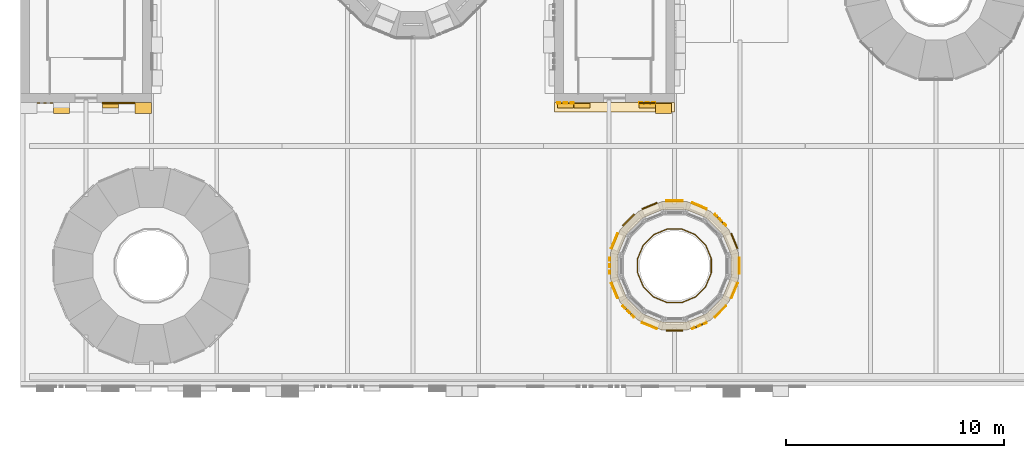
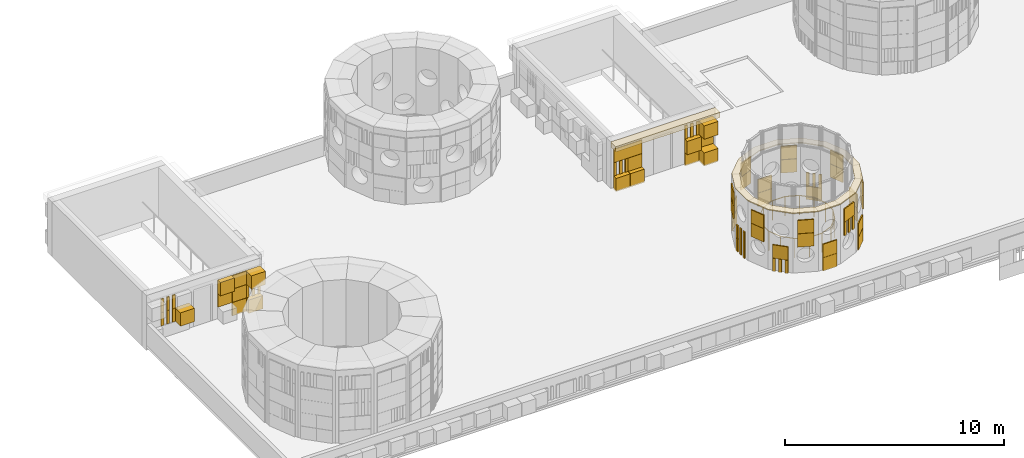
# One storey, part 68 of 98: 18 coverings, 1 railing.
"""IFC4 building model written with IfcOpenShell, lengths in metres."""

import ifcopenshell
import ifcopenshell.guid

model = None  # the IFC model being written
_history = None  # IfcOwnerHistory: only IFC2X3 demands one
_inside = {}  # id of a spatial element -> (the spatial element, [elements in it])
_under = {}  # id of a project, library or spatial element -> (it, [spatial elements below it])
_declared = {}  # id of a project -> (the project, [libraries it declares])
_typed = {}  # id of a type object -> (the type object, [elements of that type])
_made_of = {}  # id of a material, layer set ... -> (it, [elements and type objects made of it])


def new_model(schema):
    """Start an empty IFC model of exactly this schema.

    Asked for "IFC4X3", IfcOpenShell would pick the latest addendum, in which some entities
    have other attributes; the version numbers below select the first issue.
    IFC2X3 requires an IfcOwnerHistory on every rooted entity: one is made here for all.
    """
    global model, _history
    if schema == "IFC4X3":
        model = ifcopenshell.file(schema_version=(4, 3, 0, 0))
    else:
        model = ifcopenshell.file(schema=schema)
    _inside.clear()
    _under.clear()
    _declared.clear()
    _typed.clear()
    _made_of.clear()
    _history = None
    if model.schema == "IFC2X3":
        org = make("IfcOrganization", Name="unknown")
        user = make(
            "IfcPersonAndOrganization",
            ThePerson=make("IfcPerson", FamilyName="unknown"),
            TheOrganization=org,
        )
        app = make(
            "IfcApplication",
            ApplicationDeveloper=org,
            Version="unknown",
            ApplicationFullName="unknown",
            ApplicationIdentifier="unknown",
        )
        _history = make(
            "IfcOwnerHistory",
            OwningUser=user,
            OwningApplication=app,
            ChangeAction="ADDED",
            CreationDate=0,
        )
    return model


def make(cls, **values):
    """One entity of the class cls with the attributes given. An attribute that is None is left unset."""
    return model.create_entity(
        cls, **{name: value for name, value in values.items() if value is not None}
    )


def rooted(cls, **values):
    """An entity with a GlobalId (a new one), such as an element, a storey or a relation."""
    return make(cls, GlobalId=ifcopenshell.guid.new(), OwnerHistory=_history, **values)


def si_unit(unit_type, name, prefix=None):
    """IfcSIUnit, for example si_unit("LENGTHUNIT", "METRE", prefix="MILLI")."""
    return make("IfcSIUnit", UnitType=unit_type, Prefix=prefix, Name=name)


def assignment(units):
    """IfcUnitAssignment: the units of a project."""
    return None if units is None else make("IfcUnitAssignment", Units=units)


def point(xyz):
    """IfcCartesianPoint."""
    return None if xyz is None else make("IfcCartesianPoint", Coordinates=xyz)


def direction(xyz):
    """IfcDirection."""
    return None if xyz is None else make("IfcDirection", DirectionRatios=xyz)


def frame(location, z_axis=None, x_axis=None):
    """IfcAxis2Placement3D, a coordinate frame: its origin and axes. An axis left out is left unset."""
    return make(
        "IfcAxis2Placement3D",
        Location=point(location),
        Axis=direction(z_axis),
        RefDirection=direction(x_axis),
    )


def frame_2d(location, x_axis=None):
    """IfcAxis2Placement2D, a coordinate frame in the plane: its origin and x axis."""
    return make(
        "IfcAxis2Placement2D", Location=point(location), RefDirection=direction(x_axis)
    )


def origin():
    """The frame at (0, 0, 0) with its axes left unset."""
    return frame((0.0, 0.0, 0.0))


def origin_2d():
    """The frame at (0, 0) in the plane with its x axis left unset."""
    return frame_2d((0.0, 0.0))


def place(relative_to, where):
    """IfcLocalPlacement: puts the frame where relative to a parent placement (None: the world)."""
    return make(
        "IfcLocalPlacement", PlacementRelTo=relative_to, RelativePlacement=where
    )


def context(
    kind, dimensions, precision=None, world=None, true_north=None, identifier=None
):
    """IfcGeometricRepresentationContext, for example the 3D "Model" context."""
    return make(
        "IfcGeometricRepresentationContext",
        ContextIdentifier=identifier,
        ContextType=kind,
        CoordinateSpaceDimension=dimensions,
        Precision=precision,
        WorldCoordinateSystem=world,
        TrueNorth=true_north,
    )


def subcontext(parent, identifier, kind, view, scale=None):
    """IfcGeometricRepresentationSubContext, for example "Body" below "Model"."""
    return make(
        "IfcGeometricRepresentationSubContext",
        ContextIdentifier=identifier,
        ContextType=kind,
        ParentContext=parent,
        TargetScale=scale,
        TargetView=view,
    )


def project(units=None, contexts=None):
    """IfcProject with its units and contexts."""
    return rooted(
        "IfcProject",
        Name="project",
        RepresentationContexts=contexts,
        UnitsInContext=assignment(units),
    )


def spatial(cls, under=None, at=None, **own):
    """A site, building, storey or space (cls), placed at a placement, below another one or the project."""
    s = rooted(cls, ObjectPlacement=at, **own)
    if under is not None:
        _under.setdefault(under.id(), (under, []))[1].append(s)
    return s


def polyline(points):
    """IfcPolyline through the points."""
    return make("IfcPolyline", Points=[point(p) for p in points])


def profile(cls, at=None, kind="AREA", **sizes):
    """A parametric profile (cls). Its sizes go by their IFC names, for example OverallWidth=200.0."""
    return make(cls, ProfileType=kind, Position=at, **sizes)


def rectangle(**sizes):
    """IfcRectangleProfileDef."""
    return profile("IfcRectangleProfileDef", **sizes)


def circle(**sizes):
    """IfcCircleProfileDef."""
    return profile("IfcCircleProfileDef", **sizes)


def outline(outer, holes=None, kind="AREA"):
    """IfcArbitraryClosedProfileDef: a profile drawn as a closed curve; with holes, ...WithVoids."""
    if holes is None:
        return make("IfcArbitraryClosedProfileDef", ProfileType=kind, OuterCurve=outer)
    return make(
        "IfcArbitraryProfileDefWithVoids",
        ProfileType=kind,
        OuterCurve=outer,
        InnerCurves=holes,
    )


def extrude(swept, where, along, depth):
    """IfcExtrudedAreaSolid: the profile swept, set in the frame where, extruded along a direction by depth."""
    return make(
        "IfcExtrudedAreaSolid",
        SweptArea=swept,
        Position=where,
        ExtrudedDirection=direction(along),
        Depth=depth,
    )


def shape(context_of_items, identifier, shape_type, items):
    """IfcShapeRepresentation: the items that make up one representation, for example the "Body"."""
    return make(
        "IfcShapeRepresentation",
        ContextOfItems=context_of_items,
        RepresentationIdentifier=identifier,
        RepresentationType=shape_type,
        Items=items,
    )


def material(Name=None, Category=None):
    """IfcMaterial."""
    return make("IfcMaterial", Name=Name, Category=Category)


def layer(
    of_material, thickness, ventilated=None, Name=None, Category=None, Priority=None
):
    """IfcMaterialLayer: one layer of a wall or slab, of a material (None: an air gap)."""
    return make(
        "IfcMaterialLayer",
        Material=of_material,
        LayerThickness=thickness,
        IsVentilated=ventilated,
        Name=Name,
        Category=Category,
        Priority=Priority,
    )


def layer_set(layers, Name=None):
    """IfcMaterialLayerSet."""
    return make("IfcMaterialLayerSet", MaterialLayers=layers, LayerSetName=Name)


def made_of(thing, what):
    """Note that an element or type object is made of a material, layer set ...; save() writes the relation."""
    if what is not None:
        _made_of.setdefault(what.id(), (what, []))[1].append(thing)
    return thing


def type_object(cls, material=None, **own):
    """A type object (cls), such as IfcWallType, which elements share."""
    return made_of(rooted(cls, **own), material)


def element(
    cls,
    number,
    at=None,
    inside=None,
    cuts=None,
    type_object=None,
    material=None,
    context=None,
    identifier="Body",
    shape_type=None,
    held_by="IfcProductDefinitionShape",
    body=None,
    shapes=None,
    **own,
):
    """One element of the class cls, such as IfcWall. Its Tag is "e" and its number.

    at: its placement. inside: the storey or other place that contains it. cuts: it is an
    opening in that element (IfcRelVoidsElement). A single representation is given by context,
    identifier, shape_type and body (its items); several are given by shapes. held_by: the class
    of the entity that holds the representations. save() writes the other relations.
    """
    e = rooted(cls, Tag="e%d" % number, ObjectPlacement=at, **own)
    if body is not None:
        shapes = [shape(context, identifier, shape_type, body)]
    if shapes is not None:
        e.Representation = make(held_by, Representations=shapes)
    if inside is not None:
        _inside.setdefault(inside.id(), (inside, []))[1].append(e)
    if cuts is not None:
        rooted(
            "IfcRelVoidsElement", RelatingBuildingElement=cuts, RelatedOpeningElement=e
        )
    if type_object is not None:
        _typed.setdefault(type_object.id(), (type_object, []))[1].append(e)
    return made_of(e, material)


def aggregate(whole, parts):
    """IfcRelAggregates: a whole, such as a stair, and the parts it consists of."""
    return rooted("IfcRelAggregates", RelatingObject=whole, RelatedObjects=parts)


def save(model, path):
    """Write the relations noted so far, then the file.

    IfcRelAggregates (storeys below a building ...), IfcRelContainedInSpatialStructure (elements
    in a storey), IfcRelDefinesByType, IfcRelAssociatesMaterial and IfcRelDeclares: one each for
    every whole, place, type object, material and project.
    """
    for whole, parts in _under.values():
        aggregate(whole, parts)
    for where, things in _inside.values():
        rooted(
            "IfcRelContainedInSpatialStructure",
            RelatedElements=things,
            RelatingStructure=where,
        )
    for kind, things in _typed.values():
        rooted("IfcRelDefinesByType", RelatedObjects=things, RelatingType=kind)
    for what, things in _made_of.values():
        rooted("IfcRelAssociatesMaterial", RelatedObjects=things, RelatingMaterial=what)
    for by, libraries in _declared.values():
        rooted("IfcRelDeclares", RelatingContext=by, RelatedDefinitions=libraries)
    model.write(path)


model = new_model("IFC4")

# Units and contexts
model_context = context("Model", 3, precision=1e-05, world=origin(), true_north=direction((0.0, 1.0)))
body_context = subcontext(model_context, "Body", "Model", "MODEL_VIEW")
ifc_project = project(units=[si_unit("LENGTHUNIT", "METRE"), si_unit("AREAUNIT", "SQUARE_METRE"), si_unit("VOLUMEUNIT", "CUBIC_METRE"), si_unit("PLANEANGLEUNIT", "RADIAN"), si_unit("MASSUNIT", "GRAM", prefix="KILO")], contexts=[model_context])

# Site, building, storey
site_placement = place(None, origin())
site = spatial("IfcSite", under=ifc_project, at=site_placement, CompositionType="ELEMENT")
building_placement = place(site_placement, origin())
building = spatial("IfcBuilding", under=site, at=building_placement, Name="Sun Court Science Centre", CompositionType="ELEMENT")
storey_placement = place(building_placement, frame((0.0, 0.0, 15.75)))
storey = spatial("IfcBuildingStorey", under=building, at=storey_placement, Name="L03", CompositionType="ELEMENT", Elevation=15.75)

# Railing
ifc_material_1 = material(Name="Steel S275", Category="steel")
railing_type = type_object("IfcRailingType", Name="Guard 1100 well balustrade", PredefinedType="GUARDRAIL", material=ifc_material_1)
railing_placement = place(storey_placement, frame((31.68701171875, 11.83544921875, 0.110107421875)))
element("IfcRailing", 1, at=railing_placement, inside=storey, type_object=railing_type, Name="C3 well guard L03", PredefinedType="GUARDRAIL", context=body_context, shape_type="SweptSolid", body=[
    extrude(circle(Radius=0.02392578125, at=origin_2d()), frame((0.0, 0.0, 1.076171875), z_axis=(-0.382651625058, 0.923892706888, 0.0), x_axis=(-0.923892706888, -0.382651625058, 0.0)), (0.0, 0.0, 1.0), 0.671142578125),
    extrude(circle(Radius=0.02392578125, at=origin_2d()), frame((-0.2568359375, 0.6201171875, 1.076171875), z_axis=(-0.707106781187, 0.707106781187, 0.0), x_axis=(-0.707106781187, -0.707106781187, 0.0)), (0.0, 0.0, 1.0), 0.671142578125),
    extrude(circle(Radius=0.02392578125, at=origin_2d()), frame((-0.7314453125, 1.0947265625, 1.076171875), z_axis=(-0.923892706888, 0.382651625058, 0.0), x_axis=(-0.382651625058, -0.923892706888, 0.0)), (0.0, 0.0, 1.0), 0.671142578125),
    extrude(circle(Radius=0.02392578125, at=origin_2d()), frame((-1.3515625, 1.3515625, 1.076171875), z_axis=(-1.0, 0.0, 0.0), x_axis=(0.0, -1.0, 0.0)), (0.0, 0.0, 1.0), 0.6708984375),
    extrude(circle(Radius=0.02392578125, at=origin_2d()), frame((-2.0224609375, 1.3515625, 1.076171875), z_axis=(-0.923892706888, -0.382651625058, 0.0), x_axis=(0.382651625058, -0.923892706888, 0.0)), (0.0, 0.0, 1.0), 0.671142578125),
    extrude(circle(Radius=0.02392578125, at=origin_2d()), frame((-2.642578125, 1.0947265625, 1.076171875), z_axis=(-0.707106781187, -0.707106781187, 0.0), x_axis=(0.707106781187, -0.707106781187, 0.0)), (0.0, 0.0, 1.0), 0.671142578125),
    extrude(circle(Radius=0.02392578125, at=origin_2d()), frame((-3.1171875, 0.6201171875, 1.076171875), z_axis=(-0.382651625058, -0.923892706888, 0.0), x_axis=(0.923892706888, -0.382651625058, 0.0)), (0.0, 0.0, 1.0), 0.671142578125),
    extrude(circle(Radius=0.02392578125, at=origin_2d()), frame((-3.3740234375, 0.0, 1.076171875), z_axis=(0.0, -1.0, 0.0), x_axis=(1.0, 0.0, 0.0)), (0.0, 0.0, 1.0), 0.6708984375),
    extrude(circle(Radius=0.02392578125, at=origin_2d()), frame((-3.3740234375, -0.6708984375, 1.076171875), z_axis=(0.382651625058, -0.923892706888, 0.0), x_axis=(0.923892706888, 0.382651625058, 0.0)), (0.0, 0.0, 1.0), 0.671142578125),
    extrude(circle(Radius=0.02392578125, at=origin_2d()), frame((-3.1171875, -1.291015625, 1.076171875), z_axis=(0.707106781187, -0.707106781187, 0.0), x_axis=(0.707106781187, 0.707106781187, 0.0)), (0.0, 0.0, 1.0), 0.671142578125),
    extrude(circle(Radius=0.02392578125, at=origin_2d()), frame((-2.642578125, -1.765625, 1.076171875), z_axis=(0.923892706888, -0.382651625058, 0.0), x_axis=(0.382651625058, 0.923892706888, 0.0)), (0.0, 0.0, 1.0), 0.671142578125),
    extrude(circle(Radius=0.02392578125, at=origin_2d()), frame((-2.0224609375, -2.0224609375, 1.076171875), z_axis=(1.0, 0.0, 0.0), x_axis=(0.0, 1.0, 0.0)), (0.0, 0.0, 1.0), 0.6708984375),
    extrude(circle(Radius=0.02392578125, at=origin_2d()), frame((-1.3515625, -2.0224609375, 1.076171875), z_axis=(0.923892706888, 0.382651625058, 0.0), x_axis=(-0.382651625058, 0.923892706888, 0.0)), (0.0, 0.0, 1.0), 0.671142578125),
    extrude(circle(Radius=0.02392578125, at=origin_2d()), frame((-0.7314453125, -1.765625, 1.076171875), z_axis=(0.707106781187, 0.707106781187, 0.0), x_axis=(-0.707106781187, 0.707106781187, 0.0)), (0.0, 0.0, 1.0), 0.671142578125),
    extrude(circle(Radius=0.02392578125, at=origin_2d()), frame((-0.2568359375, -1.291015625, 1.076171875), z_axis=(0.382651625058, 0.923892706888, 0.0), x_axis=(-0.923892706888, 0.382651625058, 0.0)), (0.0, 0.0, 1.0), 0.671142578125),
    extrude(circle(Radius=0.02392578125, at=origin_2d()), frame((0.0, -0.6708984375, 1.076171875), z_axis=(0.0, 1.0, 0.0), x_axis=(-1.0, 0.0, 0.0)), (0.0, 0.0, 1.0), 0.6708984375),
    extrude(circle(Radius=0.02099609375, at=origin_2d()), origin(), (0.0, 0.0, 1.0), 1.052001953125),
    extrude(circle(Radius=0.02099609375, at=origin_2d()), frame((-0.2568359375, 0.6201171875, 0.0)), (0.0, 0.0, 1.0), 1.052001953125),
    extrude(circle(Radius=0.02099609375, at=origin_2d()), frame((-0.7314453125, 1.0947265625, 0.0)), (0.0, 0.0, 1.0), 1.052001953125),
    extrude(circle(Radius=0.02099609375, at=origin_2d()), frame((-1.3515625, 1.3515625, 0.0)), (0.0, 0.0, 1.0), 1.052001953125),
    extrude(circle(Radius=0.02099609375, at=origin_2d()), frame((-2.0224609375, 1.3515625, 0.0)), (0.0, 0.0, 1.0), 1.052001953125),
    extrude(circle(Radius=0.02099609375, at=origin_2d()), frame((-2.642578125, 1.0947265625, 0.0)), (0.0, 0.0, 1.0), 1.052001953125),
    extrude(circle(Radius=0.02099609375, at=origin_2d()), frame((-3.1171875, 0.6201171875, 0.0)), (0.0, 0.0, 1.0), 1.052001953125),
    extrude(circle(Radius=0.02099609375, at=origin_2d()), frame((-3.3740234375, 0.0, 0.0)), (0.0, 0.0, 1.0), 1.052001953125),
    extrude(circle(Radius=0.02099609375, at=origin_2d()), frame((-3.3740234375, -0.6708984375, 0.0)), (0.0, 0.0, 1.0), 1.052001953125),
    extrude(circle(Radius=0.02099609375, at=origin_2d()), frame((-3.1171875, -1.291015625, 0.0)), (0.0, 0.0, 1.0), 1.052001953125),
    extrude(circle(Radius=0.02099609375, at=origin_2d()), frame((-2.642578125, -1.765625, 0.0)), (0.0, 0.0, 1.0), 1.052001953125),
    extrude(circle(Radius=0.02099609375, at=origin_2d()), frame((-2.0224609375, -2.0224609375, 0.0)), (0.0, 0.0, 1.0), 1.052001953125),
    extrude(circle(Radius=0.02099609375, at=origin_2d()), frame((-1.3515625, -2.0224609375, 0.0)), (0.0, 0.0, 1.0), 1.052001953125),
    extrude(circle(Radius=0.02099609375, at=origin_2d()), frame((-0.7314453125, -1.765625, 0.0)), (0.0, 0.0, 1.0), 1.052001953125),
    extrude(circle(Radius=0.02099609375, at=origin_2d()), frame((-0.2568359375, -1.291015625, 0.0)), (0.0, 0.0, 1.0), 1.052001953125),
    extrude(circle(Radius=0.02099609375, at=origin_2d()), frame((0.0, -0.6708984375, 0.0)), (0.0, 0.0, 1.0), 1.052001953125),
])

# Coverings
ifc_material_2 = material(Name="Red sandstone", Category="masonry")
ifc_layer_1 = layer(ifc_material_2, 0.050048828125)
ifc_layer_set_1 = layer_set([ifc_layer_1], Name="Red sandstone")
covering_type_1 = type_object("IfcCoveringType", Name="Red sandstone coping 50", PredefinedType="CLADDING", material=ifc_layer_set_1)
covering_1_placement = place(storey_placement, frame((0.0, 0.0, 3.449951171875)))
element("IfcCovering", 2, at=covering_1_placement, inside=storey, type_object=covering_type_1, Name="Sandstone coping of drum top cone 3", PredefinedType="CLADDING", context=body_context, shape_type="SweptSolid", body=[
    extrude(outline(polyline([(32.9423828125, 12.085205078125), (32.494384765625, 13.166748046875), (31.666748046875, 13.994384765625), (30.585205078125, 14.4423828125), (29.414794921875, 14.4423828125), (28.333251953125, 13.994384765625), (27.505615234375, 13.166748046875), (27.0576171875, 12.085205078125), (27.0576171875, 10.914794921875), (27.505615234375, 9.833251953125), (28.333251953125, 9.005615234375), (29.414794921875, 8.5576171875), (30.585205078125, 8.5576171875), (31.666748046875, 9.005615234375), (32.494384765625, 9.833251953125), (32.9423828125, 10.914794921875), (32.9423828125, 12.085205078125)]), holes=[polyline([(32.587646484375, 12.0146484375), (32.193603515625, 12.9658203125), (31.4658203125, 13.693603515625), (30.5146484375, 14.087646484375), (29.4853515625, 14.087646484375), (28.5341796875, 13.693603515625), (27.806396484375, 12.9658203125), (27.412353515625, 12.0146484375), (27.412353515625, 10.9853515625), (27.806396484375, 10.0341796875), (28.5341796875, 9.306396484375), (29.4853515625, 8.912353515625), (30.5146484375, 8.912353515625), (31.4658203125, 9.306396484375), (32.193603515625, 10.0341796875), (32.587646484375, 10.9853515625), (32.587646484375, 12.0146484375)])]), origin(), (0.0, 0.0, 1.0), 0.050048828125),
])
ifc_material_3 = material(Name="Terracotta panel", Category="masonry")
ifc_layer_2 = layer(ifc_material_3, 0.449951171875)
ifc_layer_set_2 = layer_set([ifc_layer_2], Name="Terracotta panel")
covering_type_2 = type_object("IfcCoveringType", Name="Terracotta cornice 450", PredefinedType="CLADDING", material=ifc_layer_set_2)
covering_2_placement = place(storey_placement, frame((0.0, 0.0, -15.75)))
element("IfcCovering", 3, at=covering_2_placement, inside=storey, type_object=covering_type_2, Name="Terracotta cornice south face of core L03", PredefinedType="CLADDING", context=body_context, shape_type="SweptSolid", body=[
    extrude(rectangle(XDim=5.5, YDim=0.449951171875, at=origin_2d()), frame((27.25, 18.77490234375, 18.2001953125), z_axis=(0.0, 0.0, 1.0), x_axis=(-1.0, 0.0, 0.0)), (0.0, 0.0, 1.0), 0.300048828125),
])
ifc_material_4 = material(Name="Terracotta jali", Category="masonry")
ifc_layer_3 = layer(ifc_material_4, 0.06005859375)
ifc_layer_set_3 = layer_set([ifc_layer_3], Name="Terracotta jali")
covering_type_3 = type_object("IfcCoveringType", Name="Terracotta open jali panel", PredefinedType="CLADDING", material=ifc_layer_set_3)
covering_3_placement = place(storey_placement, frame((0.0, 0.0, -15.75)))
element("IfcCovering", 4, at=covering_3_placement, inside=storey, type_object=covering_type_3, Name="Open jali pixel cladding cone 3 L03", PredefinedType="CLADDING", context=body_context, shape_type="SweptSolid", body=[
    extrude(rectangle(XDim=0.139892578125, YDim=0.06005859375, at=origin_2d()), frame((31.8896484375, 13.81396484375, 16.615234375), z_axis=(0.0, 0.0, 1.0), x_axis=(0.707106781187, -0.707106781187, 0.0)), (0.0, 0.0, 1.0), 0.739990234375),
    extrude(rectangle(XDim=0.139892578125, YDim=0.06005859375, at=origin_2d()), frame((32.101806640625, 13.601806640625, 16.615234375), z_axis=(0.0, 0.0, 1.0), x_axis=(0.707106781187, -0.707106781187, 0.0)), (0.0, 0.0, 1.0), 0.739990234375),
    extrude(rectangle(XDim=0.139892578125, YDim=0.06005859375, at=origin_2d()), frame((32.31396484375, 13.3896484375, 16.615234375), z_axis=(0.0, 0.0, 1.0), x_axis=(0.707106781187, -0.707106781187, 0.0)), (0.0, 0.0, 1.0), 0.739990234375),
    extrude(rectangle(XDim=0.139892578125, YDim=0.06005859375, at=origin_2d()), frame((27.027587890625, 11.199951171875, 15.865234375), z_axis=(0.0, 0.0, 1.0), x_axis=(0.0, 1.0, 0.0)), (0.0, 0.0, 1.0), 0.739990234375),
    extrude(rectangle(XDim=0.139892578125, YDim=0.06005859375, at=origin_2d()), frame((27.027587890625, 11.5, 15.865234375), z_axis=(0.0, 0.0, 1.0), x_axis=(0.0, 1.0, 0.0)), (0.0, 0.0, 1.0), 0.739990234375),
    extrude(rectangle(XDim=0.139892578125, YDim=0.06005859375, at=origin_2d()), frame((27.027587890625, 11.800048828125, 15.865234375), z_axis=(0.0, 0.0, 1.0), x_axis=(0.0, 1.0, 0.0)), (0.0, 0.0, 1.0), 0.739990234375),
    extrude(rectangle(XDim=0.139892578125, YDim=0.06005859375, at=origin_2d()), frame((27.027587890625, 11.199951171875, 16.615234375), z_axis=(0.0, 0.0, 1.0), x_axis=(0.0, 1.0, 0.0)), (0.0, 0.0, 1.0), 0.739990234375),
    extrude(rectangle(XDim=0.139892578125, YDim=0.06005859375, at=origin_2d()), frame((27.027587890625, 11.5, 16.615234375), z_axis=(0.0, 0.0, 1.0), x_axis=(0.0, 1.0, 0.0)), (0.0, 0.0, 1.0), 0.739990234375),
    extrude(rectangle(XDim=0.139892578125, YDim=0.06005859375, at=origin_2d()), frame((27.027587890625, 11.800048828125, 16.615234375), z_axis=(0.0, 0.0, 1.0), x_axis=(0.0, 1.0, 0.0)), (0.0, 0.0, 1.0), 0.739990234375),
    extrude(rectangle(XDim=0.139892578125, YDim=0.06005859375, at=origin_2d()), frame((28.1103515625, 9.18603515625, 15.865234375), z_axis=(0.0, 0.0, 1.0), x_axis=(-0.707106781187, 0.707106781187, 0.0)), (0.0, 0.0, 1.0), 0.739990234375),
    extrude(rectangle(XDim=0.139892578125, YDim=0.06005859375, at=origin_2d()), frame((27.898193359375, 9.398193359375, 15.865234375), z_axis=(0.0, 0.0, 1.0), x_axis=(-0.707106781187, 0.707106781187, 0.0)), (0.0, 0.0, 1.0), 0.739990234375),
    extrude(rectangle(XDim=0.139892578125, YDim=0.06005859375, at=origin_2d()), frame((27.68603515625, 9.6103515625, 15.865234375), z_axis=(0.0, 0.0, 1.0), x_axis=(-0.707106781187, 0.707106781187, 0.0)), (0.0, 0.0, 1.0), 0.739990234375),
    extrude(rectangle(XDim=0.139892578125, YDim=0.06005859375, at=origin_2d()), frame((31.41455078125, 8.86865234375, 17.365234375), z_axis=(0.0, 0.0, 1.0), x_axis=(-0.923879532511, -0.382683432365, 0.0)), (0.0, 0.0, 1.0), 0.739990234375),
    extrude(rectangle(XDim=0.139892578125, YDim=0.06005859375, at=origin_2d()), frame((31.137451171875, 8.75390625, 17.365234375), z_axis=(0.0, 0.0, 1.0), x_axis=(-0.923879532511, -0.382683432365, 0.0)), (0.0, 0.0, 1.0), 0.739990234375),
    extrude(rectangle(XDim=0.139892578125, YDim=0.06005859375, at=origin_2d()), frame((30.8603515625, 8.63916015625, 17.365234375), z_axis=(0.0, 0.0, 1.0), x_axis=(-0.923879532511, -0.382683432365, 0.0)), (0.0, 0.0, 1.0), 0.739990234375),
])
covering_4_placement = place(storey_placement, frame((0.0, 0.0, -15.75)))
element("IfcCovering", 5, at=covering_4_placement, inside=storey, type_object=covering_type_3, Name="Open jali pixel cladding south face of core L03", PredefinedType="CLADDING", context=body_context, shape_type="SweptSolid", body=[
    extrude(rectangle(XDim=0.139892578125, YDim=0.06005859375, at=origin_2d()), frame((5.925048828125, 18.969970703125, 16.580078125), z_axis=(0.0, 0.0, 1.0), x_axis=(-1.0, 0.0, 0.0)), (0.0, 0.0, 1.0), 0.739990234375),
    extrude(rectangle(XDim=0.139892578125, YDim=0.06005859375, at=origin_2d()), frame((5.625, 18.969970703125, 16.580078125), z_axis=(0.0, 0.0, 1.0), x_axis=(-1.0, 0.0, 0.0)), (0.0, 0.0, 1.0), 0.739990234375),
    extrude(rectangle(XDim=0.139892578125, YDim=0.06005859375, at=origin_2d()), frame((5.324951171875, 18.969970703125, 16.580078125), z_axis=(0.0, 0.0, 1.0), x_axis=(-1.0, 0.0, 0.0)), (0.0, 0.0, 1.0), 0.739990234375),
    extrude(rectangle(XDim=0.139892578125, YDim=0.06005859375, at=origin_2d()), frame((1.425048828125, 18.969970703125, 16.580078125), z_axis=(0.0, 0.0, 1.0), x_axis=(-1.0, 0.0, 0.0)), (0.0, 0.0, 1.0), 0.739990234375),
    extrude(rectangle(XDim=0.139892578125, YDim=0.06005859375, at=origin_2d()), frame((1.125, 18.969970703125, 16.580078125), z_axis=(0.0, 0.0, 1.0), x_axis=(-1.0, 0.0, 0.0)), (0.0, 0.0, 1.0), 0.739990234375),
    extrude(rectangle(XDim=0.139892578125, YDim=0.06005859375, at=origin_2d()), frame((0.824951171875, 18.969970703125, 16.580078125), z_axis=(0.0, 0.0, 1.0), x_axis=(-1.0, 0.0, 0.0)), (0.0, 0.0, 1.0), 0.739990234375),
    extrude(rectangle(XDim=0.139892578125, YDim=0.06005859375, at=origin_2d()), frame((1.425048828125, 18.969970703125, 17.330078125), z_axis=(0.0, 0.0, 1.0), x_axis=(-1.0, 0.0, 0.0)), (0.0, 0.0, 1.0), 0.739990234375),
    extrude(rectangle(XDim=0.139892578125, YDim=0.06005859375, at=origin_2d()), frame((1.125, 18.969970703125, 17.330078125), z_axis=(0.0, 0.0, 1.0), x_axis=(-1.0, 0.0, 0.0)), (0.0, 0.0, 1.0), 0.739990234375),
    extrude(rectangle(XDim=0.139892578125, YDim=0.06005859375, at=origin_2d()), frame((0.824951171875, 18.969970703125, 17.330078125), z_axis=(0.0, 0.0, 1.0), x_axis=(-1.0, 0.0, 0.0)), (0.0, 0.0, 1.0), 0.739990234375),
    extrude(rectangle(XDim=0.739990234375, YDim=0.260009765625, at=origin_2d()), frame((5.625, 18.8701171875, 15.830078125), z_axis=(0.0, 0.0, 1.0), x_axis=(-1.0, 0.0, 0.0)), (0.0, 0.0, 1.0), 0.739990234375),
    extrude(rectangle(XDim=0.739990234375, YDim=0.510009765625, at=origin_2d()), frame((5.625, 18.7451171875, 17.330078125), z_axis=(0.0, 0.0, 1.0), x_axis=(-1.0, 0.0, 0.0)), (0.0, 0.0, 1.0), 0.739990234375),
])
covering_5_placement = place(storey_placement, frame((0.0, 0.0, -15.75)))
element("IfcCovering", 6, at=covering_5_placement, inside=storey, type_object=covering_type_3, Name="Open jali pixel cladding south face of core L03", PredefinedType="CLADDING", context=body_context, shape_type="SweptSolid", body=[
    extrude(rectangle(XDim=0.139892578125, YDim=0.06005859375, at=origin_2d()), frame((25.300048828125, 18.969970703125, 16.580078125), z_axis=(0.0, 0.0, 1.0), x_axis=(-1.0, 0.0, 0.0)), (0.0, 0.0, 1.0), 0.739990234375),
    extrude(rectangle(XDim=0.139892578125, YDim=0.06005859375, at=origin_2d()), frame((25.0, 18.969970703125, 16.580078125), z_axis=(0.0, 0.0, 1.0), x_axis=(-1.0, 0.0, 0.0)), (0.0, 0.0, 1.0), 0.739990234375),
    extrude(rectangle(XDim=0.139892578125, YDim=0.06005859375, at=origin_2d()), frame((24.699951171875, 18.969970703125, 16.580078125), z_axis=(0.0, 0.0, 1.0), x_axis=(-1.0, 0.0, 0.0)), (0.0, 0.0, 1.0), 0.739990234375),
    extrude(rectangle(XDim=0.139892578125, YDim=0.06005859375, at=origin_2d()), frame((29.050048828125, 18.969970703125, 17.330078125), z_axis=(0.0, 0.0, 1.0), x_axis=(-1.0, 0.0, 0.0)), (0.0, 0.0, 1.0), 0.739990234375),
    extrude(rectangle(XDim=0.139892578125, YDim=0.06005859375, at=origin_2d()), frame((28.75, 18.969970703125, 17.330078125), z_axis=(0.0, 0.0, 1.0), x_axis=(-1.0, 0.0, 0.0)), (0.0, 0.0, 1.0), 0.739990234375),
    extrude(rectangle(XDim=0.139892578125, YDim=0.06005859375, at=origin_2d()), frame((28.449951171875, 18.969970703125, 17.330078125), z_axis=(0.0, 0.0, 1.0), x_axis=(-1.0, 0.0, 0.0)), (0.0, 0.0, 1.0), 0.739990234375),
])
ifc_material_5 = material(Name="Terracotta shade 1", Category="masonry")
ifc_layer_4 = layer(ifc_material_5, 0.06005859375)
ifc_layer_set_4 = layer_set([ifc_layer_4], Name="Terracotta shade 1")
covering_type_4 = type_object("IfcCoveringType", Name="Terracotta pixel panel shade 1", PredefinedType="CLADDING", material=ifc_layer_set_4)
covering_6_placement = place(storey_placement, frame((0.0, 0.0, -15.75)))
element("IfcCovering", 7, at=covering_6_placement, inside=storey, type_object=covering_type_4, Name="Terracotta pixel cladding shade 1 cone 3 L03", PredefinedType="CLADDING", context=body_context, shape_type="SweptSolid", body=[
    extrude(rectangle(XDim=0.739990234375, YDim=0.06005859375, at=origin_2d()), frame((32.74609375, 12.637451171875, 18.115234375), z_axis=(0.0, 0.0, 1.0), x_axis=(0.382683432365, -0.923879532511, 0.0)), (0.0, 0.0, 1.0), 0.739990234375),
    extrude(rectangle(XDim=0.739990234375, YDim=0.06005859375, at=origin_2d()), frame((32.101806640625, 13.601806640625, 15.865234375), z_axis=(0.0, 0.0, 1.0), x_axis=(0.707106781187, -0.707106781187, 0.0)), (0.0, 0.0, 1.0), 0.739990234375),
    extrude(rectangle(XDim=0.739990234375, YDim=0.06005859375, at=origin_2d()), frame((31.137451171875, 14.24609375, 18.115234375), z_axis=(0.0, 0.0, 1.0), x_axis=(0.923879532511, -0.382683432365, 0.0)), (0.0, 0.0, 1.0), 0.739990234375),
    extrude(rectangle(XDim=0.739990234375, YDim=0.06005859375, at=origin_2d()), frame((27.898193359375, 13.601806640625, 15.865234375), z_axis=(0.0, 0.0, 1.0), x_axis=(0.707106781187, 0.707106781187, 0.0)), (0.0, 0.0, 1.0), 0.739990234375),
    extrude(rectangle(XDim=0.739990234375, YDim=0.06005859375, at=origin_2d()), frame((27.898193359375, 9.398193359375, 16.615234375), z_axis=(0.0, 0.0, 1.0), x_axis=(-0.707106781187, 0.707106781187, 0.0)), (0.0, 0.0, 1.0), 0.739990234375),
    extrude(rectangle(XDim=0.739990234375, YDim=0.06005859375, at=origin_2d()), frame((31.137451171875, 8.75390625, 18.115234375), z_axis=(0.0, 0.0, 1.0), x_axis=(-0.923879532511, -0.382683432365, 0.0)), (0.0, 0.0, 1.0), 0.739990234375),
    extrude(rectangle(XDim=0.739990234375, YDim=0.06005859375, at=origin_2d()), frame((32.101806640625, 9.398193359375, 16.615234375), z_axis=(0.0, 0.0, 1.0), x_axis=(-0.707106781187, -0.707106781187, 0.0)), (0.0, 0.0, 1.0), 0.739990234375),
    extrude(rectangle(XDim=0.739990234375, YDim=0.06005859375, at=origin_2d()), frame((32.972412109375, 11.5, 16.615234375), z_axis=(0.0, 0.0, 1.0), x_axis=(0.0, -1.0, 0.0)), (0.0, 0.0, 1.0), 0.739990234375),
])
covering_7_placement = place(storey_placement, frame((0.0, 0.0, -15.75)))
element("IfcCovering", 8, at=covering_7_placement, inside=storey, type_object=covering_type_4, Name="Terracotta pixel cladding shade 1 south face of core L03", PredefinedType="CLADDING", context=body_context, shape_type="SweptSolid", body=[
    extrude(rectangle(XDim=0.739990234375, YDim=0.260009765625, at=origin_2d()), frame((25.75, 18.8701171875, 15.830078125), z_axis=(0.0, 0.0, 1.0), x_axis=(-1.0, 0.0, 0.0)), (0.0, 0.0, 1.0), 0.739990234375),
    extrude(rectangle(XDim=0.739990234375, YDim=0.06005859375, at=origin_2d()), frame((25.75, 18.969970703125, 17.330078125), z_axis=(0.0, 0.0, 1.0), x_axis=(-1.0, 0.0, 0.0)), (0.0, 0.0, 1.0), 0.739990234375),
    extrude(rectangle(XDim=0.739990234375, YDim=0.06005859375, at=origin_2d()), frame((25.0, 18.969970703125, 17.330078125), z_axis=(0.0, 0.0, 1.0), x_axis=(-1.0, 0.0, 0.0)), (0.0, 0.0, 1.0), 0.739990234375),
    extrude(rectangle(XDim=0.739990234375, YDim=0.260009765625, at=origin_2d()), frame((25.0, 18.8701171875, 15.830078125), z_axis=(0.0, 0.0, 1.0), x_axis=(-1.0, 0.0, 0.0)), (0.0, 0.0, 1.0), 0.739990234375),
])
ifc_material_6 = material(Name="Terracotta shade 2", Category="masonry")
ifc_layer_5 = layer(ifc_material_6, 0.06005859375)
ifc_layer_set_5 = layer_set([ifc_layer_5], Name="Terracotta shade 2")
covering_type_5 = type_object("IfcCoveringType", Name="Terracotta pixel panel shade 2", PredefinedType="CLADDING", material=ifc_layer_set_5)
covering_8_placement = place(storey_placement, frame((0.0, 0.0, -15.75)))
element("IfcCovering", 9, at=covering_8_placement, inside=storey, type_object=covering_type_5, Name="Terracotta pixel cladding shade 2 cone 3 L03", PredefinedType="CLADDING", context=body_context, shape_type="SweptSolid", body=[
    extrude(rectangle(XDim=0.739990234375, YDim=0.06005859375, at=origin_2d()), frame((32.74609375, 12.637451171875, 17.365234375), z_axis=(0.0, 0.0, 1.0), x_axis=(0.382683432365, -0.923879532511, 0.0)), (0.0, 0.0, 1.0), 0.739990234375),
    extrude(rectangle(XDim=0.739990234375, YDim=0.06005859375, at=origin_2d()), frame((28.862548828125, 14.24609375, 17.365234375), z_axis=(0.0, 0.0, 1.0), x_axis=(0.923879532511, 0.382683432365, 0.0)), (0.0, 0.0, 1.0), 0.739990234375),
    extrude(rectangle(XDim=0.739990234375, YDim=0.06005859375, at=origin_2d()), frame((28.862548828125, 14.24609375, 18.115234375), z_axis=(0.0, 0.0, 1.0), x_axis=(0.923879532511, 0.382683432365, 0.0)), (0.0, 0.0, 1.0), 0.739990234375),
    extrude(rectangle(XDim=0.739990234375, YDim=0.06005859375, at=origin_2d()), frame((27.898193359375, 13.601806640625, 16.615234375), z_axis=(0.0, 0.0, 1.0), x_axis=(0.707106781187, 0.707106781187, 0.0)), (0.0, 0.0, 1.0), 0.739990234375),
    extrude(rectangle(XDim=0.739990234375, YDim=0.06005859375, at=origin_2d()), frame((27.25390625, 12.637451171875, 18.115234375), z_axis=(0.0, 0.0, 1.0), x_axis=(0.382683432365, 0.923879532511, 0.0)), (0.0, 0.0, 1.0), 0.739990234375),
    extrude(rectangle(XDim=0.739990234375, YDim=0.06005859375, at=origin_2d()), frame((28.862548828125, 8.75390625, 17.365234375), z_axis=(0.0, 0.0, 1.0), x_axis=(-0.923879532511, 0.382683432365, 0.0)), (0.0, 0.0, 1.0), 0.739990234375),
    extrude(rectangle(XDim=0.739990234375, YDim=0.06005859375, at=origin_2d()), frame((30.0, 8.527587890625, 15.865234375), z_axis=(0.0, 0.0, 1.0), x_axis=(-1.0, 0.0, 0.0)), (0.0, 0.0, 1.0), 0.739990234375),
    extrude(rectangle(XDim=0.739990234375, YDim=0.06005859375, at=origin_2d()), frame((30.0, 8.527587890625, 16.615234375), z_axis=(0.0, 0.0, 1.0), x_axis=(-1.0, 0.0, 0.0)), (0.0, 0.0, 1.0), 0.739990234375),
    extrude(rectangle(XDim=0.739990234375, YDim=0.06005859375, at=origin_2d()), frame((32.74609375, 10.362548828125, 18.115234375), z_axis=(0.0, 0.0, 1.0), x_axis=(-0.382683432365, -0.923879532511, 0.0)), (0.0, 0.0, 1.0), 0.739990234375),
])
covering_9_placement = place(storey_placement, frame((0.0, 0.0, -15.75)))
element("IfcCovering", 10, at=covering_9_placement, inside=storey, type_object=covering_type_5, Name="Terracotta pixel cladding shade 2 south face of core L03", PredefinedType="CLADDING", context=body_context, shape_type="SweptSolid", body=[
    extrude(rectangle(XDim=0.739990234375, YDim=0.510009765625, at=origin_2d()), frame((1.875, 18.7451171875, 16.580078125), z_axis=(0.0, 0.0, 1.0), x_axis=(-1.0, 0.0, 0.0)), (0.0, 0.0, 1.0), 0.739990234375),
    extrude(rectangle(XDim=0.739990234375, YDim=0.06005859375, at=origin_2d()), frame((4.875, 18.969970703125, 17.330078125), z_axis=(0.0, 0.0, 1.0), x_axis=(-1.0, 0.0, 0.0)), (0.0, 0.0, 1.0), 0.739990234375),
    extrude(rectangle(XDim=0.739990234375, YDim=0.260009765625, at=origin_2d()), frame((4.125, 18.8701171875, 17.330078125), z_axis=(0.0, 0.0, 1.0), x_axis=(-1.0, 0.0, 0.0)), (0.0, 0.0, 1.0), 0.739990234375),
])
covering_10_placement = place(storey_placement, frame((0.0, 0.0, -15.75)))
element("IfcCovering", 11, at=covering_10_placement, inside=storey, type_object=covering_type_5, Name="Terracotta pixel cladding shade 2 south face of core L03", PredefinedType="CLADDING", context=body_context, shape_type="SweptSolid", body=[
    extrude(rectangle(XDim=0.739990234375, YDim=0.06005859375, at=origin_2d()), frame((28.75, 18.969970703125, 15.830078125), z_axis=(0.0, 0.0, 1.0), x_axis=(-1.0, 0.0, 0.0)), (0.0, 0.0, 1.0), 0.739990234375),
])
ifc_material_7 = material(Name="Terracotta shade 3", Category="masonry")
ifc_layer_6 = layer(ifc_material_7, 0.06005859375)
ifc_layer_set_6 = layer_set([ifc_layer_6], Name="Terracotta shade 3")
covering_type_6 = type_object("IfcCoveringType", Name="Terracotta pixel panel shade 3", PredefinedType="CLADDING", material=ifc_layer_set_6)
covering_11_placement = place(storey_placement, frame((0.0, 0.0, -15.75)))
element("IfcCovering", 12, at=covering_11_placement, inside=storey, type_object=covering_type_6, Name="Terracotta pixel cladding shade 3 cone 3 L03", PredefinedType="CLADDING", context=body_context, shape_type="SweptSolid", body=[
    extrude(rectangle(XDim=0.739990234375, YDim=0.06005859375, at=origin_2d()), frame((31.137451171875, 14.24609375, 17.365234375), z_axis=(0.0, 0.0, 1.0), x_axis=(0.923879532511, -0.382683432365, 0.0)), (0.0, 0.0, 1.0), 0.739990234375),
    extrude(rectangle(XDim=0.739990234375, YDim=0.06005859375, at=origin_2d()), frame((27.25390625, 10.362548828125, 18.115234375), z_axis=(0.0, 0.0, 1.0), x_axis=(-0.382683432365, 0.923879532511, 0.0)), (0.0, 0.0, 1.0), 0.739990234375),
    extrude(rectangle(XDim=0.739990234375, YDim=0.06005859375, at=origin_2d()), frame((32.101806640625, 9.398193359375, 15.865234375), z_axis=(0.0, 0.0, 1.0), x_axis=(-0.707106781187, -0.707106781187, 0.0)), (0.0, 0.0, 1.0), 0.739990234375),
])
covering_12_placement = place(storey_placement, frame((0.0, 0.0, -15.75)))
element("IfcCovering", 13, at=covering_12_placement, inside=storey, type_object=covering_type_6, Name="Terracotta pixel cladding shade 3 south face of core L03", PredefinedType="CLADDING", context=body_context, shape_type="SweptSolid", body=[
    extrude(rectangle(XDim=0.739990234375, YDim=0.06005859375, at=origin_2d()), frame((29.5, 18.969970703125, 16.580078125), z_axis=(0.0, 0.0, 1.0), x_axis=(-1.0, 0.0, 0.0)), (0.0, 0.0, 1.0), 0.739990234375),
    extrude(rectangle(XDim=0.739990234375, YDim=0.260009765625, at=origin_2d()), frame((28.75, 18.8701171875, 16.580078125), z_axis=(0.0, 0.0, 1.0), x_axis=(-1.0, 0.0, 0.0)), (0.0, 0.0, 1.0), 0.739990234375),
])
ifc_material_8 = material(Name="Terracotta shade 4", Category="masonry")
ifc_layer_7 = layer(ifc_material_8, 0.06005859375)
ifc_layer_set_7 = layer_set([ifc_layer_7], Name="Terracotta shade 4")
covering_type_7 = type_object("IfcCoveringType", Name="Terracotta pixel panel shade 4", PredefinedType="CLADDING", material=ifc_layer_set_7)
covering_13_placement = place(storey_placement, frame((0.0, 0.0, -15.75)))
element("IfcCovering", 14, at=covering_13_placement, inside=storey, type_object=covering_type_7, Name="Terracotta pixel cladding shade 4 cone 3 L03", PredefinedType="CLADDING", context=body_context, shape_type="SweptSolid", body=[
    extrude(rectangle(XDim=0.739990234375, YDim=0.06005859375, at=origin_2d()), frame((30.0, 14.472412109375, 15.865234375), z_axis=(0.0, 0.0, 1.0), x_axis=(1.0, 0.0, 0.0)), (0.0, 0.0, 1.0), 0.739990234375),
    extrude(rectangle(XDim=0.739990234375, YDim=0.06005859375, at=origin_2d()), frame((30.0, 14.472412109375, 16.615234375), z_axis=(0.0, 0.0, 1.0), x_axis=(1.0, 0.0, 0.0)), (0.0, 0.0, 1.0), 0.739990234375),
    extrude(rectangle(XDim=0.739990234375, YDim=0.06005859375, at=origin_2d()), frame((27.25390625, 12.637451171875, 17.365234375), z_axis=(0.0, 0.0, 1.0), x_axis=(0.382683432365, 0.923879532511, 0.0)), (0.0, 0.0, 1.0), 0.739990234375),
    extrude(rectangle(XDim=0.739990234375, YDim=0.06005859375, at=origin_2d()), frame((32.74609375, 10.362548828125, 17.365234375), z_axis=(0.0, 0.0, 1.0), x_axis=(-0.382683432365, -0.923879532511, 0.0)), (0.0, 0.0, 1.0), 0.739990234375),
])
covering_14_placement = place(storey_placement, frame((0.0, 0.0, -15.75)))
element("IfcCovering", 15, at=covering_14_placement, inside=storey, type_object=covering_type_7, Name="Terracotta pixel cladding shade 4 south face of core L03", PredefinedType="CLADDING", context=body_context, shape_type="SweptSolid", body=[
    extrude(rectangle(XDim=0.739990234375, YDim=0.06005859375, at=origin_2d()), frame((4.875, 18.969970703125, 16.580078125), z_axis=(0.0, 0.0, 1.0), x_axis=(-1.0, 0.0, 0.0)), (0.0, 0.0, 1.0), 0.739990234375),
    extrude(rectangle(XDim=0.739990234375, YDim=0.06005859375, at=origin_2d()), frame((4.125, 18.969970703125, 16.580078125), z_axis=(0.0, 0.0, 1.0), x_axis=(-1.0, 0.0, 0.0)), (0.0, 0.0, 1.0), 0.739990234375),
])
covering_15_placement = place(storey_placement, frame((0.0, 0.0, -15.75)))
element("IfcCovering", 16, at=covering_15_placement, inside=storey, type_object=covering_type_7, Name="Terracotta pixel cladding shade 4 south face of core L03", PredefinedType="CLADDING", context=body_context, shape_type="SweptSolid", body=[
    extrude(rectangle(XDim=0.739990234375, YDim=0.06005859375, at=origin_2d()), frame((25.75, 18.969970703125, 16.580078125), z_axis=(0.0, 0.0, 1.0), x_axis=(-1.0, 0.0, 0.0)), (0.0, 0.0, 1.0), 0.739990234375),
    extrude(rectangle(XDim=0.739990234375, YDim=0.510009765625, at=origin_2d()), frame((29.5, 18.7451171875, 17.330078125), z_axis=(0.0, 0.0, 1.0), x_axis=(-1.0, 0.0, 0.0)), (0.0, 0.0, 1.0), 0.739990234375),
])
ifc_material_9 = material(Name="Terracotta shade 5", Category="masonry")
ifc_layer_8 = layer(ifc_material_9, 0.06005859375)
ifc_layer_set_8 = layer_set([ifc_layer_8], Name="Terracotta shade 5")
covering_type_8 = type_object("IfcCoveringType", Name="Terracotta pixel panel shade 5", PredefinedType="CLADDING", material=ifc_layer_set_8)
covering_16_placement = place(storey_placement, frame((0.0, 0.0, -15.75)))
element("IfcCovering", 17, at=covering_16_placement, inside=storey, type_object=covering_type_8, Name="Terracotta pixel cladding shade 5 cone 3 L03", PredefinedType="CLADDING", context=body_context, shape_type="SweptSolid", body=[
    extrude(rectangle(XDim=0.739990234375, YDim=0.06005859375, at=origin_2d()), frame((27.25390625, 10.362548828125, 17.365234375), z_axis=(0.0, 0.0, 1.0), x_axis=(-0.382683432365, 0.923879532511, 0.0)), (0.0, 0.0, 1.0), 0.739990234375),
    extrude(rectangle(XDim=0.739990234375, YDim=0.06005859375, at=origin_2d()), frame((28.862548828125, 8.75390625, 18.115234375), z_axis=(0.0, 0.0, 1.0), x_axis=(-0.923879532511, 0.382683432365, 0.0)), (0.0, 0.0, 1.0), 0.739990234375),
    extrude(rectangle(XDim=0.739990234375, YDim=0.06005859375, at=origin_2d()), frame((32.972412109375, 11.5, 15.865234375), z_axis=(0.0, 0.0, 1.0), x_axis=(0.0, -1.0, 0.0)), (0.0, 0.0, 1.0), 0.739990234375),
])
covering_17_placement = place(storey_placement, frame((0.0, 0.0, -15.75)))
element("IfcCovering", 18, at=covering_17_placement, inside=storey, type_object=covering_type_8, Name="Terracotta pixel cladding shade 5 south face of core L03", PredefinedType="CLADDING", context=body_context, shape_type="SweptSolid", body=[
    extrude(rectangle(XDim=0.739990234375, YDim=0.06005859375, at=origin_2d()), frame((4.875, 18.969970703125, 15.830078125), z_axis=(0.0, 0.0, 1.0), x_axis=(-1.0, 0.0, 0.0)), (0.0, 0.0, 1.0), 0.739990234375),
])
covering_18_placement = place(storey_placement, frame((0.0, 0.0, -15.75)))
element("IfcCovering", 19, at=covering_18_placement, inside=storey, type_object=covering_type_8, Name="Terracotta pixel cladding shade 5 south face of core L03", PredefinedType="CLADDING", context=body_context, shape_type="SweptSolid", body=[
    extrude(rectangle(XDim=0.739990234375, YDim=0.510009765625, at=origin_2d()), frame((29.5, 18.7451171875, 15.830078125), z_axis=(0.0, 0.0, 1.0), x_axis=(-1.0, 0.0, 0.0)), (0.0, 0.0, 1.0), 0.739990234375),
])

save(model, "model.ifc")
